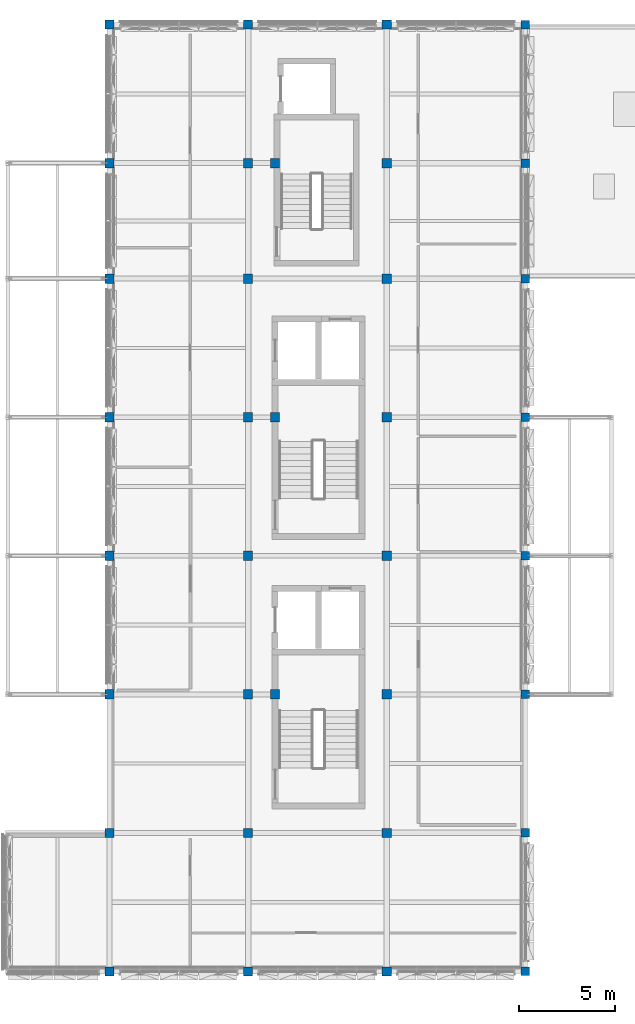
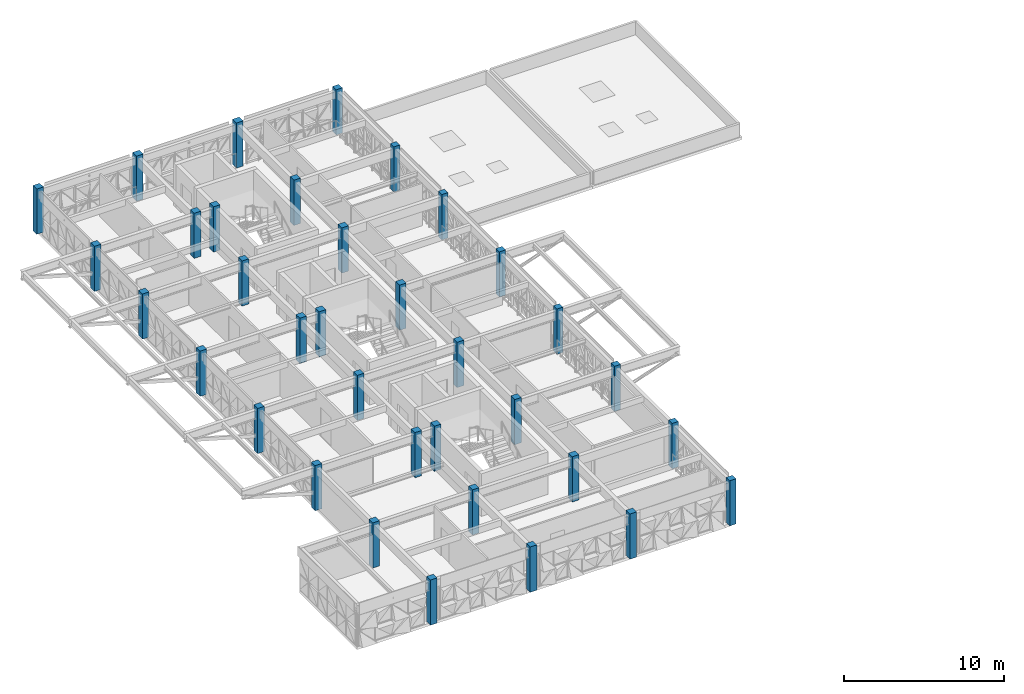
# One storey, part 1 of 30: 35 columns.
"""IFC4 building model written with IfcOpenShell, lengths in metres."""

from ifc_helpers import new_model, si_unit, direction, frame, origin, origin_2d, place, context, subcontext, project, spatial, rectangle, extrude, material, material_profile, profile_set, type_object, element, save


model = new_model("IFC4")

# Units and contexts
model_context = context("Model", 3, precision=1e-05, world=origin(), true_north=direction((0.0, 1.0)))
body_context = subcontext(model_context, "Body", "Model", "MODEL_VIEW")
ifc_project = project(units=[si_unit("LENGTHUNIT", "METRE"), si_unit("AREAUNIT", "SQUARE_METRE"), si_unit("VOLUMEUNIT", "CUBIC_METRE"), si_unit("PLANEANGLEUNIT", "RADIAN"), si_unit("MASSUNIT", "GRAM", prefix="KILO")], contexts=[model_context])

# Site, building, storey
site_placement = place(None, origin())
site = spatial("IfcSite", under=ifc_project, at=site_placement, CompositionType="ELEMENT")
building_placement = place(site_placement, origin())
building = spatial("IfcBuilding", under=site, at=building_placement, Name="Alvorim Cloister Faculty of Sciences", CompositionType="ELEMENT")
storey_placement = place(building_placement, frame((0.0, 0.0, 26.25)))
storey = spatial("IfcBuildingStorey", under=building, at=storey_placement, Name="L07", CompositionType="ELEMENT", Elevation=26.25)

# Columns
ifc_material = material(Name="Glulam GL32h", Category="wood")
ifc_material_profile_1 = material_profile(ifc_material, rectangle(XDim=0.43994140625, YDim=0.43994140625, at=origin_2d()), Name="GL32-COL-440x440")
ifc_profile_set_1 = profile_set([ifc_material_profile_1], Name="Glulam GL32h")
column_type_1 = type_object("IfcColumnType", Name="COL-GL-440", PredefinedType="COLUMN", material=ifc_profile_set_1)
for number, where, z_axis, x_axis, name in (
    (1, (28.800048828125, 7.199951171875, 0.0), (0.0, 0.0, 1.0), (1.0, 0.0, 0.0), "L07 Column COL-1064"),
    (2, (28.800048828125, 14.39990234375, 0.0), (0.0, 0.0, 1.0), (1.0, 0.0, 0.0), "L07 Column COL-1065"),
    (3, (28.800048828125, 21.60009765625, 0.0), (0.0, 0.0, 1.0), (1.0, 0.0, 0.0), "L07 Column COL-1066"),
    (4, (28.800048828125, 28.800048828125, 0.0), (0.0, 0.0, 1.0), (1.0, 0.0, 0.0), "L07 Column COL-1067"),
    (5, (28.800048828125, 36.0, 0.0), (0.0, 0.0, 1.0), (1.0, 0.0, 0.0), "L07 Column COL-1068"),
    (6, (28.800048828125, 43.199951171875, 0.0), (0.0, 0.0, 1.0), (1.0, 0.0, 0.0), "L07 Column COL-1069"),
    (7, (28.800048828125, 49.199951171875, 0.0), (0.0, 0.0, 1.0), (1.0, 0.0, 0.0), "L07 Column COL-1070"),
    (8, (28.800048828125, 56.39990234375, 0.0), (0.0, 0.0, 1.0), (1.0, 0.0, 0.0), "L07 Column COL-1071"),
):
    element("IfcColumn", number, at=place(storey_placement, frame(where, z_axis=z_axis, x_axis=x_axis)), inside=storey, type_object=column_type_1, Name=name, PredefinedType="COLUMN", context=body_context, shape_type="SweptSolid", body=[
        extrude(rectangle(XDim=0.43994140625, YDim=0.43994140625, at=origin_2d()), origin(), (0.0, 0.0, 1.0), 3.449951171875),
    ])
ifc_material_profile_2 = material_profile(ifc_material, rectangle(XDim=0.47998046875, YDim=0.47998046875, at=origin_2d()), Name="GL32-COL-480x480")
ifc_profile_set_2 = profile_set([ifc_material_profile_2], Name="Glulam GL32h")
column_type_2 = type_object("IfcColumnType", Name="COL-GL-480", PredefinedType="COLUMN", material=ifc_profile_set_2)
for number, where, z_axis, x_axis, name in (
    (9, (7.199951171875, 7.199951171875, 0.0), (0.0, 0.0, 1.0), (1.0, 0.0, 0.0), "L07 Column COL-1037"),
    (10, (7.199951171875, 14.39990234375, 0.0), (0.0, 0.0, 1.0), (1.0, 0.0, 0.0), "L07 Column COL-1038"),
    (11, (7.199951171875, 21.60009765625, 0.0), (0.0, 0.0, 1.0), (1.0, 0.0, 0.0), "L07 Column COL-1039"),
    (12, (7.199951171875, 28.800048828125, 0.0), (0.0, 0.0, 1.0), (1.0, 0.0, 0.0), "L07 Column COL-1040"),
    (13, (7.199951171875, 36.0, 0.0), (0.0, 0.0, 1.0), (1.0, 0.0, 0.0), "L07 Column COL-1041"),
    (14, (7.199951171875, 43.199951171875, 0.0), (0.0, 0.0, 1.0), (1.0, 0.0, 0.0), "L07 Column COL-1042"),
    (15, (7.199951171875, 49.199951171875, 0.0), (0.0, 0.0, 1.0), (1.0, 0.0, 0.0), "L07 Column COL-1043"),
    (16, (7.199951171875, 56.39990234375, 0.0), (0.0, 0.0, 1.0), (1.0, 0.0, 0.0), "L07 Column COL-1044"),
    (17, (14.39990234375, 7.199951171875, 0.0), (0.0, 0.0, 1.0), (1.0, 0.0, 0.0), "L07 Column COL-1045"),
    (18, (14.39990234375, 14.39990234375, 0.0), (0.0, 0.0, 1.0), (1.0, 0.0, 0.0), "L07 Column COL-1046"),
    (19, (14.39990234375, 21.60009765625, 0.0), (0.0, 0.0, 1.0), (1.0, 0.0, 0.0), "L07 Column COL-1047"),
    (20, (14.39990234375, 28.800048828125, 0.0), (0.0, 0.0, 1.0), (1.0, 0.0, 0.0), "L07 Column COL-1048"),
    (21, (14.39990234375, 36.0, 0.0), (0.0, 0.0, 1.0), (1.0, 0.0, 0.0), "L07 Column COL-1049"),
    (22, (14.39990234375, 43.199951171875, 0.0), (0.0, 0.0, 1.0), (1.0, 0.0, 0.0), "L07 Column COL-1050"),
    (23, (14.39990234375, 49.199951171875, 0.0), (0.0, 0.0, 1.0), (1.0, 0.0, 0.0), "L07 Column COL-1051"),
    (24, (14.39990234375, 56.39990234375, 0.0), (0.0, 0.0, 1.0), (1.0, 0.0, 0.0), "L07 Column COL-1052"),
    (25, (15.800048828125, 21.60009765625, 0.0), (0.0, 0.0, 1.0), (1.0, 0.0, 0.0), "L07 Column COL-1053"),
    (26, (15.800048828125, 36.0, 0.0), (0.0, 0.0, 1.0), (1.0, 0.0, 0.0), "L07 Column COL-1054"),
    (27, (15.800048828125, 49.199951171875, 0.0), (0.0, 0.0, 1.0), (1.0, 0.0, 0.0), "L07 Column COL-1055"),
    (28, (21.60009765625, 7.199951171875, 0.0), (0.0, 0.0, 1.0), (1.0, 0.0, 0.0), "L07 Column COL-1056"),
    (29, (21.60009765625, 14.39990234375, 0.0), (0.0, 0.0, 1.0), (1.0, 0.0, 0.0), "L07 Column COL-1057"),
    (30, (21.60009765625, 21.60009765625, 0.0), (0.0, 0.0, 1.0), (1.0, 0.0, 0.0), "L07 Column COL-1058"),
    (31, (21.60009765625, 28.800048828125, 0.0), (0.0, 0.0, 1.0), (1.0, 0.0, 0.0), "L07 Column COL-1059"),
    (32, (21.60009765625, 36.0, 0.0), (0.0, 0.0, 1.0), (1.0, 0.0, 0.0), "L07 Column COL-1060"),
    (33, (21.60009765625, 43.199951171875, 0.0), (0.0, 0.0, 1.0), (1.0, 0.0, 0.0), "L07 Column COL-1061"),
    (34, (21.60009765625, 49.199951171875, 0.0), (0.0, 0.0, 1.0), (1.0, 0.0, 0.0), "L07 Column COL-1062"),
    (35, (21.60009765625, 56.39990234375, 0.0), (0.0, 0.0, 1.0), (1.0, 0.0, 0.0), "L07 Column COL-1063"),
):
    element("IfcColumn", number, at=place(storey_placement, frame(where, z_axis=z_axis, x_axis=x_axis)), inside=storey, type_object=column_type_2, Name=name, PredefinedType="COLUMN", context=body_context, shape_type="SweptSolid", body=[
        extrude(rectangle(XDim=0.47998046875, YDim=0.47998046875, at=origin_2d()), origin(), (0.0, 0.0, 1.0), 3.449951171875),
    ])

save(model, "model.ifc")
